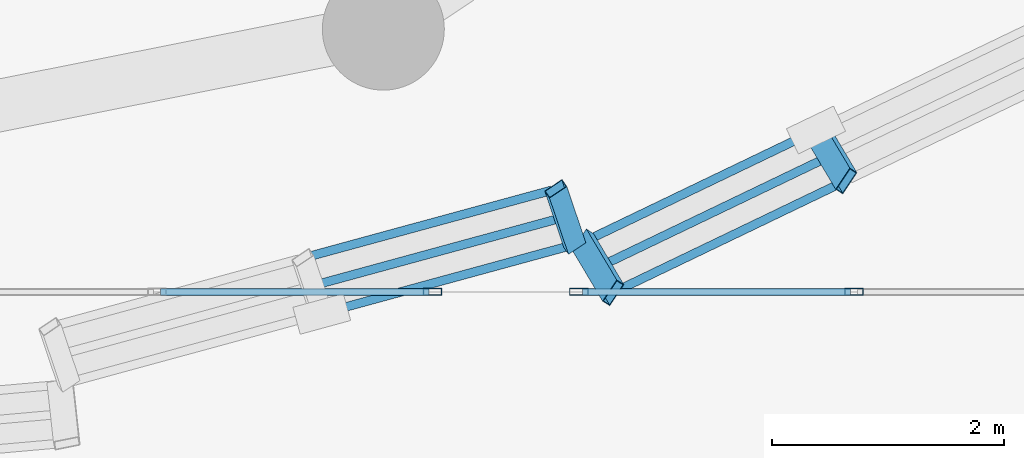
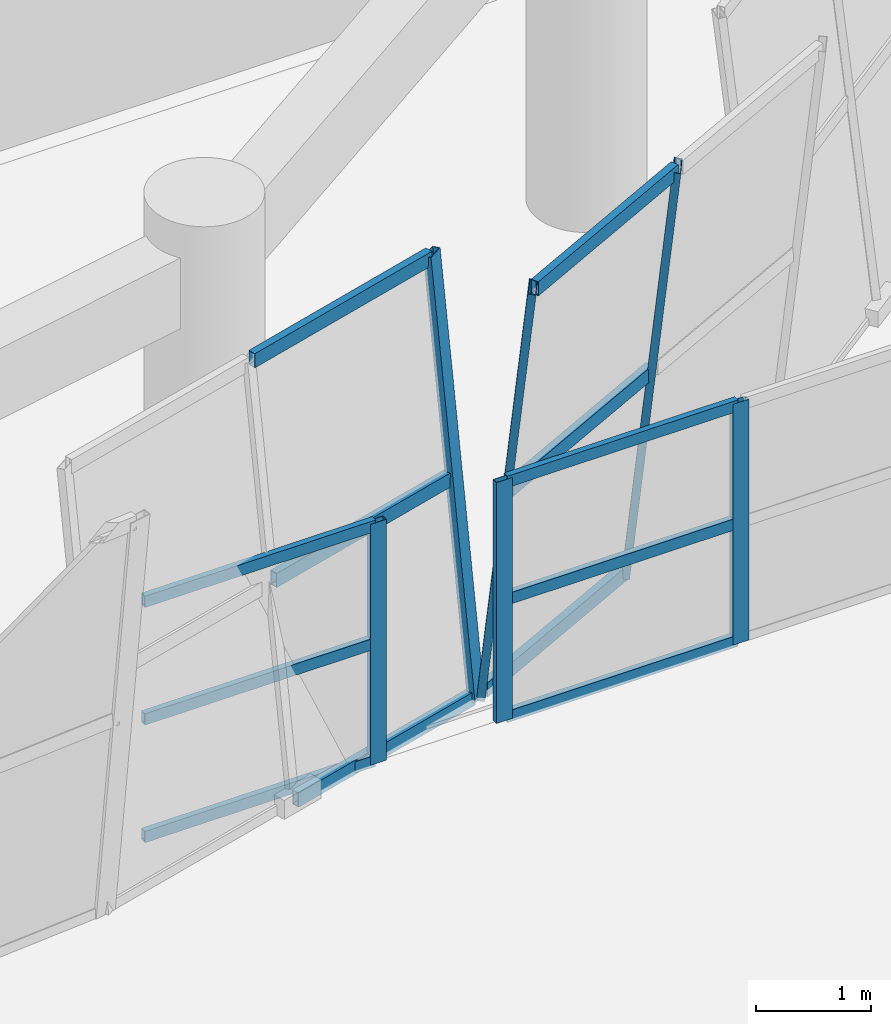
# One storey, part 23 of 72: 18 members, 4 elements without a shape of their own.
"""IFC4 building model written with IfcOpenShell, lengths in metres."""

from ifc_helpers import new_model, si_unit, direction, frame, origin, origin_2d, place, context, subcontext, project, spatial, hollow_rectangle, extrude, material, material_profile, profile_set, type_object, element, aggregate, save


model = new_model("IFC4")

# Units and contexts
model_context = context("Model", 3, precision=1e-05, world=origin(), true_north=direction((0.0, 1.0)))
body_context = subcontext(model_context, "Body", "Model", "MODEL_VIEW")
ifc_project = project(units=[si_unit("LENGTHUNIT", "METRE"), si_unit("AREAUNIT", "SQUARE_METRE"), si_unit("VOLUMEUNIT", "CUBIC_METRE"), si_unit("PLANEANGLEUNIT", "RADIAN"), si_unit("MASSUNIT", "GRAM", prefix="KILO")], contexts=[model_context])

# Site, building, storey
site_placement = place(None, origin())
site = spatial("IfcSite", under=ifc_project, at=site_placement, CompositionType="ELEMENT")
building_placement = place(site_placement, origin())
building = spatial("IfcBuilding", under=site, at=building_placement, Name="Korsvaeld Concert Hall", CompositionType="ELEMENT")
storey_placement = place(building_placement, origin())
storey = spatial("IfcBuildingStorey", under=building, at=storey_placement, Name="L00", CompositionType="ELEMENT", Elevation=0.0)

# Curtain wall, member
ifc_material_1 = material(Name="Anodised bronze and ceramic-fritted safety glass", Category="glass")
curtain_wall_type_1 = type_object("IfcCurtainWallType", Name="CW-TYPE-14", PredefinedType="USERDEFINED", material=ifc_material_1)
curtain_wall_1_placement = place(storey_placement, origin())
curtain_wall_1 = element("IfcCurtainWall", 1, at=curtain_wall_1_placement, inside=storey, type_object=curtain_wall_type_1, Name="Glazed foyer acoustic screen L00-22", ObjectType="CURTAIN WALL", PredefinedType="USERDEFINED")
ifc_material_2 = material(Name="Anodised architectural bronze aluminium", Category="aluminium")
ifc_material_profile_1 = material_profile(ifc_material_2, hollow_rectangle(XDim=0.06005859375, YDim=0.159912109375, WallThickness=0.00390625, at=origin_2d()), Name="CWM 160x60x4")
ifc_profile_set_1 = profile_set([ifc_material_profile_1], Name="Anodised architectural bronze aluminium")
member_type_1 = type_object("IfcMemberType", Name="CWM-ALUM-160x60", PredefinedType="MULLION", material=ifc_profile_set_1)
member_1_placement = place(storey_placement, frame((91.77001953125, 43.199951171875, 0.0), z_axis=(0.0, 0.0, 1.0), x_axis=(0.0, 1.0, 0.0)))
member_1 = element("IfcMember", 2, at=member_1_placement, type_object=member_type_1, Name="CW-14 mullion 4", PredefinedType="MULLION", context=body_context, shape_type="SweptSolid", body=[
    extrude(hollow_rectangle(XDim=0.06005859375, YDim=0.159912109375, WallThickness=0.00390625, at=origin_2d()), origin(), (0.0, 0.0, 1.0), 2.550048828125),
])

# Curtain wall, members
curtain_wall_type_2 = type_object("IfcCurtainWallType", Name="CW-TYPE-15", PredefinedType="USERDEFINED", material=ifc_material_1)
curtain_wall_2_placement = place(storey_placement, origin())
curtain_wall_2 = element("IfcCurtainWall", 3, at=curtain_wall_2_placement, inside=storey, type_object=curtain_wall_type_2, Name="Glazed foyer acoustic screen L00-23", ObjectType="CURTAIN WALL", PredefinedType="USERDEFINED")
member_2_placement = place(storey_placement, frame((93.030029296875, 43.199951171875, 0.0), z_axis=(0.0, 0.0, 1.0), x_axis=(0.0, 1.0, 0.0)))
member_2 = element("IfcMember", 4, at=member_2_placement, type_object=member_type_1, Name="CW-15 mullion 1", PredefinedType="MULLION", context=body_context, shape_type="SweptSolid", body=[
    extrude(hollow_rectangle(XDim=0.06005859375, YDim=0.159912109375, WallThickness=0.00390625, at=origin_2d()), origin(), (0.0, 0.0, 1.0), 2.550048828125),
])
member_3_placement = place(storey_placement, frame((95.39990234375, 43.199951171875, 0.0), z_axis=(0.0, 0.0, 1.0), x_axis=(0.0, 1.0, 0.0)))
member_3 = element("IfcMember", 5, at=member_3_placement, type_object=member_type_1, Name="CW-15 mullion 2", PredefinedType="MULLION", context=body_context, shape_type="SweptSolid", body=[
    extrude(hollow_rectangle(XDim=0.06005859375, YDim=0.159912109375, WallThickness=0.00390625, at=origin_2d()), origin(), (0.0, 0.0, 1.0), 2.550048828125),
])

# Curtain wall, member
curtain_wall_type_3 = type_object("IfcCurtainWallType", Name="CW-TYPE-02", PredefinedType="USERDEFINED", material=ifc_material_1)
curtain_wall_3_placement = place(storey_placement, origin())
curtain_wall_3 = element("IfcCurtainWall", 6, at=curtain_wall_3_placement, inside=storey, type_object=curtain_wall_type_3, Name="Crystal curtain-wall facet L00 F26", ObjectType="CURTAIN WALL", PredefinedType="USERDEFINED")
ifc_material_profile_2 = material_profile(ifc_material_2, hollow_rectangle(XDim=0.074951171875, YDim=0.179931640625, WallThickness=0.0048828125, at=origin_2d()), Name="CWM 180x75x5")
ifc_profile_set_2 = profile_set([ifc_material_profile_2], Name="Anodised architectural bronze aluminium")
member_type_2 = type_object("IfcMemberType", Name="CWM-BRONZE-180x75", PredefinedType="MULLION", material=ifc_profile_set_2)
member_4_placement = place(storey_placement, frame((92.9951171875, 43.60400390625, 0.0), z_axis=(-0.036223366426, 0.107262315231, 0.993570663544), x_axis=(0.555805308388, -0.824105020106, 0.109230833577)))
member_4 = element("IfcMember", 7, at=member_4_placement, type_object=member_type_2, Name="CW-CRYS-L00-F26 crystal mullion 3", PredefinedType="MULLION", context=body_context, shape_type="SweptSolid", body=[
    extrude(hollow_rectangle(XDim=0.074951171875, YDim=0.179931640625, WallThickness=0.0048828125, at=origin_2d()), origin(), (0.0, 0.0, 1.0), 4.509033203125),
])

# Curtain wall, members
curtain_wall_type_4 = type_object("IfcCurtainWallType", Name="CW-TYPE-03", PredefinedType="USERDEFINED", material=ifc_material_1)
curtain_wall_4_placement = place(storey_placement, origin())
curtain_wall_4 = element("IfcCurtainWall", 8, at=curtain_wall_4_placement, inside=storey, type_object=curtain_wall_type_4, Name="Crystal curtain-wall facet L00 F27", ObjectType="CURTAIN WALL", PredefinedType="USERDEFINED")
ifc_material_profile_3 = material_profile(ifc_material_2, hollow_rectangle(XDim=0.074951171875, YDim=0.219970703125, WallThickness=0.006103515625, at=origin_2d()), Name="CWM 220x75x6")
ifc_profile_set_3 = profile_set([ifc_material_profile_3], Name="Anodised architectural bronze aluminium")
member_type_3 = type_object("IfcMemberType", Name="CWM-BRONZE-220x75", PredefinedType="MULLION", material=ifc_profile_set_3)
member_5_placement = place(storey_placement, frame((93.065185546875, 43.630126953125, 0.0), z_axis=(0.057881578452, -0.097299528979, 0.993570593635), x_axis=(-0.829903337454, 0.548492598396, 0.102060374227)))
member_5 = element("IfcMember", 9, at=member_5_placement, type_object=member_type_3, Name="CW-CRYS-L00-F27 crystal mullion 1", PredefinedType="MULLION", context=body_context, shape_type="SweptSolid", body=[
    extrude(hollow_rectangle(XDim=0.074951171875, YDim=0.219970703125, WallThickness=0.006103515625, at=origin_2d()), origin(), (0.0, 0.0, 1.0), 4.509033203125),
])
member_6_placement = place(storey_placement, frame((95.0712890625, 44.59326171875, 0.0), z_axis=(0.057935542332, -0.097299223898, 0.993567478314), x_axis=(-0.830127221005, 0.548149109363, 0.102085017766)))
member_6 = element("IfcMember", 10, at=member_6_placement, type_object=member_type_3, Name="CW-CRYS-L00-F27 crystal mullion 2", PredefinedType="MULLION", context=body_context, shape_type="SweptSolid", body=[
    extrude(hollow_rectangle(XDim=0.074951171875, YDim=0.219970703125, WallThickness=0.006103515625, at=origin_2d()), origin(), (0.0, 0.0, 1.0), 4.509033203125),
])

# Member
ifc_material_profile_4 = material_profile(ifc_material_2, hollow_rectangle(XDim=0.06005859375, YDim=0.1201171875, WallThickness=0.00390625, at=origin_2d()), Name="CWT 120x60x4")
ifc_profile_set_4 = profile_set([ifc_material_profile_4], Name="Anodised architectural bronze aluminium")
member_type_4 = type_object("IfcMemberType", Name="CWT-ALUM-120x60", PredefinedType="USERDEFINED", material=ifc_profile_set_4)
member_7_placement = place(storey_placement, frame((89.429931640625, 43.199951171875, 0.030029296875), z_axis=(1.0, 0.0, 0.0), x_axis=(0.0, 1.0, 0.0)))
member_7 = element("IfcMember", 11, at=member_7_placement, type_object=member_type_4, Name="CW-14 transom 3.1", ObjectType="TRANSOM", PredefinedType="USERDEFINED", context=body_context, shape_type="SweptSolid", body=[
    extrude(hollow_rectangle(XDim=0.06005859375, YDim=0.1201171875, WallThickness=0.00390625, at=origin_2d()), origin(), (0.0, 0.0, 1.0), 2.31005859375),
])

member_8_placement = place(storey_placement, frame((89.429931640625, 43.199951171875, 1.27490234375), z_axis=(1.0, 0.0, 0.0), x_axis=(0.0, 1.0, 0.0)))
member_8 = element("IfcMember", 12, at=member_8_placement, type_object=member_type_4, Name="CW-14 transom 3.2", ObjectType="TRANSOM", PredefinedType="USERDEFINED", context=body_context, shape_type="SweptSolid", body=[
    extrude(hollow_rectangle(XDim=0.06005859375, YDim=0.1201171875, WallThickness=0.00390625, at=origin_2d()), origin(), (0.0, 0.0, 1.0), 2.31005859375),
])

member_9_placement = place(storey_placement, frame((89.429931640625, 43.199951171875, 2.52001953125), z_axis=(1.0, 0.0, 0.0), x_axis=(0.0, 1.0, 0.0)))
member_9 = element("IfcMember", 13, at=member_9_placement, type_object=member_type_4, Name="CW-14 transom 3.3", ObjectType="TRANSOM", PredefinedType="USERDEFINED", context=body_context, shape_type="SweptSolid", body=[
    extrude(hollow_rectangle(XDim=0.06005859375, YDim=0.1201171875, WallThickness=0.00390625, at=origin_2d()), origin(), (0.0, 0.0, 1.0), 2.31005859375),
])

aggregate(curtain_wall_1, [member_1, member_7, member_8, member_9])

member_10_placement = place(storey_placement, frame((93.06005859375, 43.199951171875, 0.030029296875), z_axis=(1.0, 0.0, 0.0), x_axis=(0.0, 1.0, 0.0)))
member_10 = element("IfcMember", 14, at=member_10_placement, type_object=member_type_4, Name="CW-15 transom 1.1", ObjectType="TRANSOM", PredefinedType="USERDEFINED", context=body_context, shape_type="SweptSolid", body=[
    extrude(hollow_rectangle(XDim=0.06005859375, YDim=0.1201171875, WallThickness=0.00390625, at=origin_2d()), origin(), (0.0, 0.0, 1.0), 2.31005859375),
])

member_11_placement = place(storey_placement, frame((93.06005859375, 43.199951171875, 1.27490234375), z_axis=(1.0, 0.0, 0.0), x_axis=(0.0, 1.0, 0.0)))
member_11 = element("IfcMember", 15, at=member_11_placement, type_object=member_type_4, Name="CW-15 transom 1.2", ObjectType="TRANSOM", PredefinedType="USERDEFINED", context=body_context, shape_type="SweptSolid", body=[
    extrude(hollow_rectangle(XDim=0.06005859375, YDim=0.1201171875, WallThickness=0.00390625, at=origin_2d()), origin(), (0.0, 0.0, 1.0), 2.31005859375),
])

member_12_placement = place(storey_placement, frame((93.06005859375, 43.199951171875, 2.52001953125), z_axis=(1.0, 0.0, 0.0), x_axis=(0.0, 1.0, 0.0)))
member_12 = element("IfcMember", 16, at=member_12_placement, type_object=member_type_4, Name="CW-15 transom 1.3", ObjectType="TRANSOM", PredefinedType="USERDEFINED", context=body_context, shape_type="SweptSolid", body=[
    extrude(hollow_rectangle(XDim=0.06005859375, YDim=0.1201171875, WallThickness=0.00390625, at=origin_2d()), origin(), (0.0, 0.0, 1.0), 2.31005859375),
])

aggregate(curtain_wall_2, [member_2, member_3, member_10, member_11, member_12])

ifc_material_profile_5 = material_profile(ifc_material_2, hollow_rectangle(XDim=0.074951171875, YDim=0.14990234375, WallThickness=0.0048828125, at=origin_2d()), Name="CWT 150x75x5")
ifc_profile_set_5 = profile_set([ifc_material_profile_5], Name="Anodised architectural bronze aluminium")
member_type_5 = type_object("IfcMemberType", Name="CWT-BRONZE-150x75", PredefinedType="USERDEFINED", material=ifc_profile_set_5)
member_13_placement = place(storey_placement, frame((90.852783203125, 43.023681640625, 0.030029296875), z_axis=(0.964805126409, 0.262965906641, 0.0), x_axis=(-0.262965906641, 0.964805126409, 0.0)))
member_13 = element("IfcMember", 17, at=member_13_placement, type_object=member_type_5, Name="CW-CRYS-L00-F26 crystal transom 2.1", ObjectType="TRANSOM", PredefinedType="USERDEFINED", context=body_context, shape_type="SweptSolid", body=[
    extrude(hollow_rectangle(XDim=0.074951171875, YDim=0.14990234375, WallThickness=0.0048828125, at=origin_2d()), origin(), (0.0, 0.0, 1.0), 2.181884765625),
])

member_14_placement = place(storey_placement, frame((90.772216796875, 43.26220703125, 2.239990234375), z_axis=(0.964805126409, 0.262965906641, 0.0), x_axis=(-0.262965906641, 0.964805126409, 0.0)))
member_14 = element("IfcMember", 18, at=member_14_placement, type_object=member_type_5, Name="CW-CRYS-L00-F26 crystal transom 2.2", ObjectType="TRANSOM", PredefinedType="USERDEFINED", context=body_context, shape_type="SweptSolid", body=[
    extrude(hollow_rectangle(XDim=0.074951171875, YDim=0.14990234375, WallThickness=0.0048828125, at=origin_2d()), origin(), (0.0, 0.0, 1.0), 2.181884765625),
])

member_15_placement = place(storey_placement, frame((90.691650390625, 43.500732421875, 4.449951171875), z_axis=(0.964805126409, 0.262965906641, 0.0), x_axis=(-0.262965906641, 0.964805126409, 0.0)))
member_15 = element("IfcMember", 19, at=member_15_placement, type_object=member_type_5, Name="CW-CRYS-L00-F26 crystal transom 2.3", ObjectType="TRANSOM", PredefinedType="USERDEFINED", context=body_context, shape_type="SweptSolid", body=[
    extrude(hollow_rectangle(XDim=0.074951171875, YDim=0.14990234375, WallThickness=0.0048828125, at=origin_2d()), origin(), (0.0, 0.0, 1.0), 2.181884765625),
])

aggregate(curtain_wall_3, [member_4, member_13, member_14, member_15])

member_16_placement = place(storey_placement, frame((93.1005859375, 43.643310546875, 0.030029296875), z_axis=(0.901464591462, 0.432852850679, 0.0), x_axis=(-0.432852850679, 0.901464591462, 0.0)))
member_16 = element("IfcMember", 20, at=member_16_placement, type_object=member_type_5, Name="CW-CRYS-L00-F27 crystal transom 1.1", ObjectType="TRANSOM", PredefinedType="USERDEFINED", context=body_context, shape_type="SweptSolid", body=[
    extrude(hollow_rectangle(XDim=0.074951171875, YDim=0.14990234375, WallThickness=0.0048828125, at=origin_2d()), origin(), (0.0, 0.0, 1.0), 2.150634765625),
])

member_17_placement = place(storey_placement, frame((93.2294921875, 43.427001953125, 2.239990234375), z_axis=(0.901508884705, 0.432760592935, 0.0), x_axis=(-0.432760592935, 0.901508884705, 0.0)))
member_17 = element("IfcMember", 21, at=member_17_placement, type_object=member_type_5, Name="CW-CRYS-L00-F27 crystal transom 1.2", ObjectType="TRANSOM", PredefinedType="USERDEFINED", context=body_context, shape_type="SweptSolid", body=[
    extrude(hollow_rectangle(XDim=0.074951171875, YDim=0.14990234375, WallThickness=0.0048828125, at=origin_2d()), origin(), (0.0, 0.0, 1.0), 2.150634765625),
])

member_18_placement = place(storey_placement, frame((93.358154296875, 43.21044921875, 4.449951171875), z_axis=(0.901464591462, 0.432852850679, 0.0), x_axis=(-0.432852850679, 0.901464591462, 0.0)))
member_18 = element("IfcMember", 22, at=member_18_placement, type_object=member_type_5, Name="CW-CRYS-L00-F27 crystal transom 1.3", ObjectType="TRANSOM", PredefinedType="USERDEFINED", context=body_context, shape_type="SweptSolid", body=[
    extrude(hollow_rectangle(XDim=0.074951171875, YDim=0.14990234375, WallThickness=0.0048828125, at=origin_2d()), origin(), (0.0, 0.0, 1.0), 2.150634765625),
])

aggregate(curtain_wall_4, [member_5, member_6, member_16, member_17, member_18])

save(model, "model.ifc")
